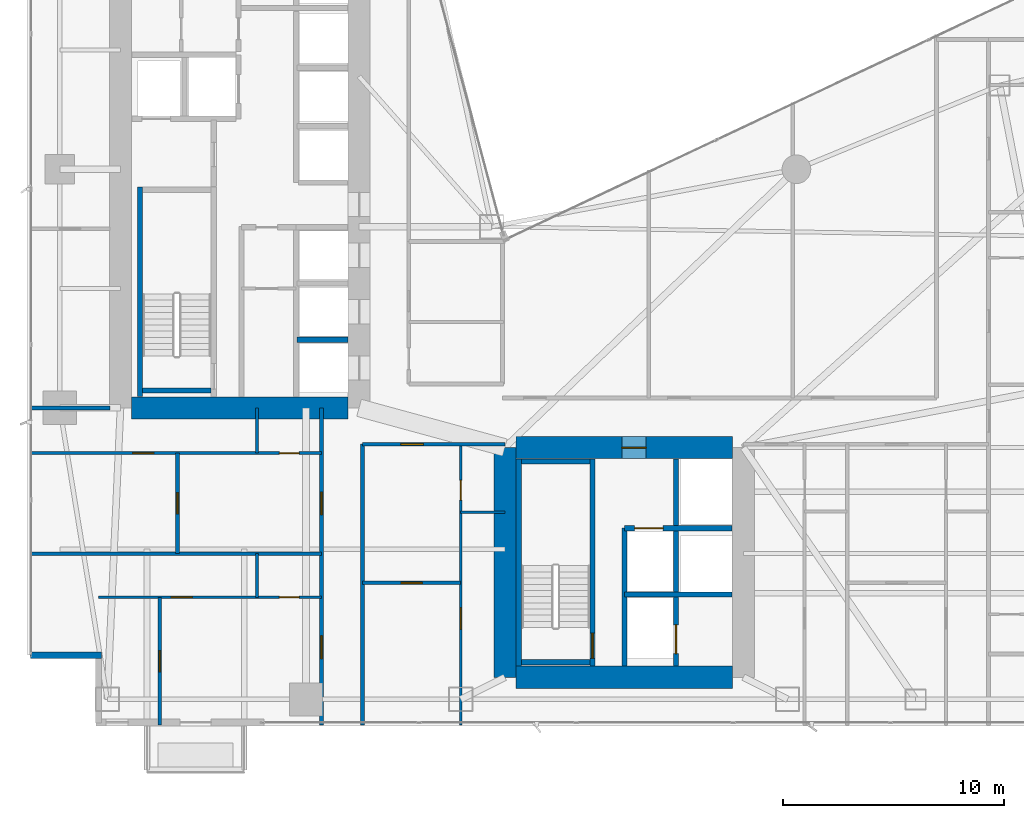
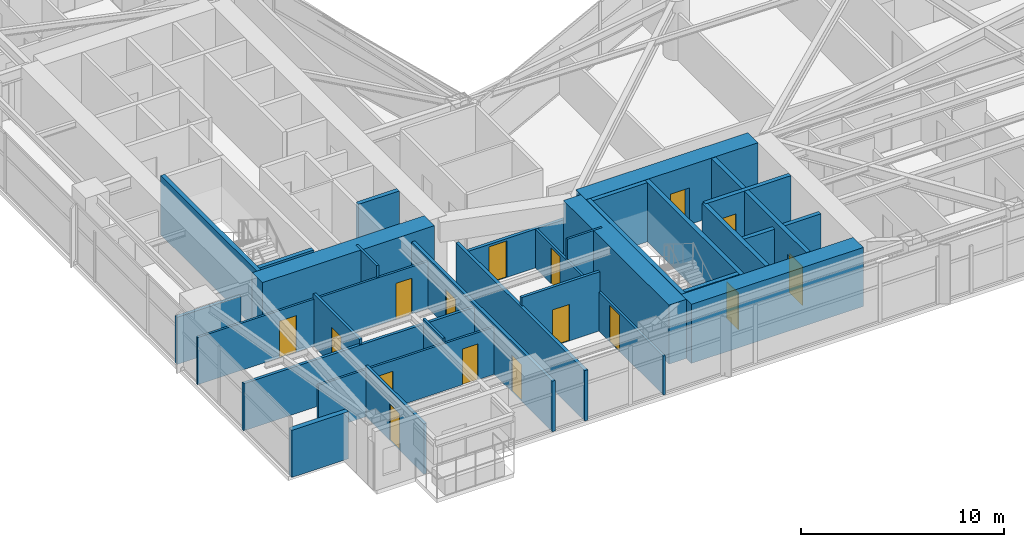
# One storey, part 22 of 30: 30 walls, 16 doors, 16 openings.
"""IFC4 building model written with IfcOpenShell, lengths in metres."""

import ifcopenshell
import ifcopenshell.guid

model = None  # the IFC model being written
_history = None  # IfcOwnerHistory: only IFC2X3 demands one
_inside = {}  # id of a spatial element -> (the spatial element, [elements in it])
_under = {}  # id of a project, library or spatial element -> (it, [spatial elements below it])
_declared = {}  # id of a project -> (the project, [libraries it declares])
_typed = {}  # id of a type object -> (the type object, [elements of that type])
_made_of = {}  # id of a material, layer set ... -> (it, [elements and type objects made of it])


def new_model(schema):
    """Start an empty IFC model of exactly this schema.

    Asked for "IFC4X3", IfcOpenShell would pick the latest addendum, in which some entities
    have other attributes; the version numbers below select the first issue.
    IFC2X3 requires an IfcOwnerHistory on every rooted entity: one is made here for all.
    """
    global model, _history
    if schema == "IFC4X3":
        model = ifcopenshell.file(schema_version=(4, 3, 0, 0))
    else:
        model = ifcopenshell.file(schema=schema)
    _inside.clear()
    _under.clear()
    _declared.clear()
    _typed.clear()
    _made_of.clear()
    _history = None
    if model.schema == "IFC2X3":
        org = make("IfcOrganization", Name="unknown")
        user = make(
            "IfcPersonAndOrganization",
            ThePerson=make("IfcPerson", FamilyName="unknown"),
            TheOrganization=org,
        )
        app = make(
            "IfcApplication",
            ApplicationDeveloper=org,
            Version="unknown",
            ApplicationFullName="unknown",
            ApplicationIdentifier="unknown",
        )
        _history = make(
            "IfcOwnerHistory",
            OwningUser=user,
            OwningApplication=app,
            ChangeAction="ADDED",
            CreationDate=0,
        )
    return model


def make(cls, **values):
    """One entity of the class cls with the attributes given. An attribute that is None is left unset."""
    return model.create_entity(
        cls, **{name: value for name, value in values.items() if value is not None}
    )


def rooted(cls, **values):
    """An entity with a GlobalId (a new one), such as an element, a storey or a relation."""
    return make(cls, GlobalId=ifcopenshell.guid.new(), OwnerHistory=_history, **values)


def si_unit(unit_type, name, prefix=None):
    """IfcSIUnit, for example si_unit("LENGTHUNIT", "METRE", prefix="MILLI")."""
    return make("IfcSIUnit", UnitType=unit_type, Prefix=prefix, Name=name)


def assignment(units):
    """IfcUnitAssignment: the units of a project."""
    return None if units is None else make("IfcUnitAssignment", Units=units)


def point(xyz):
    """IfcCartesianPoint."""
    return None if xyz is None else make("IfcCartesianPoint", Coordinates=xyz)


def direction(xyz):
    """IfcDirection."""
    return None if xyz is None else make("IfcDirection", DirectionRatios=xyz)


def frame(location, z_axis=None, x_axis=None):
    """IfcAxis2Placement3D, a coordinate frame: its origin and axes. An axis left out is left unset."""
    return make(
        "IfcAxis2Placement3D",
        Location=point(location),
        Axis=direction(z_axis),
        RefDirection=direction(x_axis),
    )


def frame_2d(location, x_axis=None):
    """IfcAxis2Placement2D, a coordinate frame in the plane: its origin and x axis."""
    return make(
        "IfcAxis2Placement2D", Location=point(location), RefDirection=direction(x_axis)
    )


def origin():
    """The frame at (0, 0, 0) with its axes left unset."""
    return frame((0.0, 0.0, 0.0))


def place(relative_to, where):
    """IfcLocalPlacement: puts the frame where relative to a parent placement (None: the world)."""
    return make(
        "IfcLocalPlacement", PlacementRelTo=relative_to, RelativePlacement=where
    )


def context(
    kind, dimensions, precision=None, world=None, true_north=None, identifier=None
):
    """IfcGeometricRepresentationContext, for example the 3D "Model" context."""
    return make(
        "IfcGeometricRepresentationContext",
        ContextIdentifier=identifier,
        ContextType=kind,
        CoordinateSpaceDimension=dimensions,
        Precision=precision,
        WorldCoordinateSystem=world,
        TrueNorth=true_north,
    )


def subcontext(parent, identifier, kind, view, scale=None):
    """IfcGeometricRepresentationSubContext, for example "Body" below "Model"."""
    return make(
        "IfcGeometricRepresentationSubContext",
        ContextIdentifier=identifier,
        ContextType=kind,
        ParentContext=parent,
        TargetScale=scale,
        TargetView=view,
    )


def project(units=None, contexts=None):
    """IfcProject with its units and contexts."""
    return rooted(
        "IfcProject",
        Name="project",
        RepresentationContexts=contexts,
        UnitsInContext=assignment(units),
    )


def spatial(cls, under=None, at=None, **own):
    """A site, building, storey or space (cls), placed at a placement, below another one or the project."""
    s = rooted(cls, ObjectPlacement=at, **own)
    if under is not None:
        _under.setdefault(under.id(), (under, []))[1].append(s)
    return s


def profile(cls, at=None, kind="AREA", **sizes):
    """A parametric profile (cls). Its sizes go by their IFC names, for example OverallWidth=200.0."""
    return make(cls, ProfileType=kind, Position=at, **sizes)


def rectangle(**sizes):
    """IfcRectangleProfileDef."""
    return profile("IfcRectangleProfileDef", **sizes)


def extrude(swept, where, along, depth):
    """IfcExtrudedAreaSolid: the profile swept, set in the frame where, extruded along a direction by depth."""
    return make(
        "IfcExtrudedAreaSolid",
        SweptArea=swept,
        Position=where,
        ExtrudedDirection=direction(along),
        Depth=depth,
    )


def shape(context_of_items, identifier, shape_type, items):
    """IfcShapeRepresentation: the items that make up one representation, for example the "Body"."""
    return make(
        "IfcShapeRepresentation",
        ContextOfItems=context_of_items,
        RepresentationIdentifier=identifier,
        RepresentationType=shape_type,
        Items=items,
    )


def material(Name=None, Category=None):
    """IfcMaterial."""
    return make("IfcMaterial", Name=Name, Category=Category)


def layer(
    of_material, thickness, ventilated=None, Name=None, Category=None, Priority=None
):
    """IfcMaterialLayer: one layer of a wall or slab, of a material (None: an air gap)."""
    return make(
        "IfcMaterialLayer",
        Material=of_material,
        LayerThickness=thickness,
        IsVentilated=ventilated,
        Name=Name,
        Category=Category,
        Priority=Priority,
    )


def layer_set(layers, Name=None):
    """IfcMaterialLayerSet."""
    return make("IfcMaterialLayerSet", MaterialLayers=layers, LayerSetName=Name)


def made_of(thing, what):
    """Note that an element or type object is made of a material, layer set ...; save() writes the relation."""
    if what is not None:
        _made_of.setdefault(what.id(), (what, []))[1].append(thing)
    return thing


def type_object(cls, material=None, **own):
    """A type object (cls), such as IfcWallType, which elements share."""
    return made_of(rooted(cls, **own), material)


def element(
    cls,
    number,
    at=None,
    inside=None,
    cuts=None,
    type_object=None,
    material=None,
    context=None,
    identifier="Body",
    shape_type=None,
    held_by="IfcProductDefinitionShape",
    body=None,
    shapes=None,
    **own,
):
    """One element of the class cls, such as IfcWall. Its Tag is "e" and its number.

    at: its placement. inside: the storey or other place that contains it. cuts: it is an
    opening in that element (IfcRelVoidsElement). A single representation is given by context,
    identifier, shape_type and body (its items); several are given by shapes. held_by: the class
    of the entity that holds the representations. save() writes the other relations.
    """
    e = rooted(cls, Tag="e%d" % number, ObjectPlacement=at, **own)
    if body is not None:
        shapes = [shape(context, identifier, shape_type, body)]
    if shapes is not None:
        e.Representation = make(held_by, Representations=shapes)
    if inside is not None:
        _inside.setdefault(inside.id(), (inside, []))[1].append(e)
    if cuts is not None:
        rooted(
            "IfcRelVoidsElement", RelatingBuildingElement=cuts, RelatedOpeningElement=e
        )
    if type_object is not None:
        _typed.setdefault(type_object.id(), (type_object, []))[1].append(e)
    return made_of(e, material)


def fill(opening, filler):
    """IfcRelFillsElement: the door or window that sits in an opening."""
    return rooted(
        "IfcRelFillsElement",
        RelatingOpeningElement=opening,
        RelatedBuildingElement=filler,
    )


def aggregate(whole, parts):
    """IfcRelAggregates: a whole, such as a stair, and the parts it consists of."""
    return rooted("IfcRelAggregates", RelatingObject=whole, RelatedObjects=parts)


def save(model, path):
    """Write the relations noted so far, then the file.

    IfcRelAggregates (storeys below a building ...), IfcRelContainedInSpatialStructure (elements
    in a storey), IfcRelDefinesByType, IfcRelAssociatesMaterial and IfcRelDeclares: one each for
    every whole, place, type object, material and project.
    """
    for whole, parts in _under.values():
        aggregate(whole, parts)
    for where, things in _inside.values():
        rooted(
            "IfcRelContainedInSpatialStructure",
            RelatedElements=things,
            RelatingStructure=where,
        )
    for kind, things in _typed.values():
        rooted("IfcRelDefinesByType", RelatedObjects=things, RelatingType=kind)
    for what, things in _made_of.values():
        rooted("IfcRelAssociatesMaterial", RelatedObjects=things, RelatingMaterial=what)
    for by, libraries in _declared.values():
        rooted("IfcRelDeclares", RelatingContext=by, RelatedDefinitions=libraries)
    model.write(path)


model = new_model("IFC4")

# Units and contexts
model_context = context("Model", 3, precision=1e-05, world=origin(), true_north=direction((0.0, 1.0)))
body_context = subcontext(model_context, "Body", "Model", "MODEL_VIEW")
ifc_project = project(units=[si_unit("LENGTHUNIT", "METRE"), si_unit("AREAUNIT", "SQUARE_METRE"), si_unit("VOLUMEUNIT", "CUBIC_METRE"), si_unit("PLANEANGLEUNIT", "RADIAN"), si_unit("MASSUNIT", "GRAM", prefix="KILO")], contexts=[model_context])

# Site, building, storey
site_placement = place(None, origin())
site = spatial("IfcSite", under=ifc_project, at=site_placement, CompositionType="ELEMENT")
building_placement = place(site_placement, origin())
building = spatial("IfcBuilding", under=site, at=building_placement, Name="Calvorn Quay Hotel", CompositionType="ELEMENT")
storey_placement = place(building_placement, frame((0.0, 0.0, 73.60009765625)))
storey = spatial("IfcBuildingStorey", under=building, at=storey_placement, Name="L17", CompositionType="ELEMENT", Elevation=73.60009765625)

# Walls
ifc_material_1 = material(Name="Concrete C60", Category="concrete")
ifc_layer_1 = layer(ifc_material_1, 1.0)
ifc_layer_set_1 = layer_set([ifc_layer_1], Name="WL-CORE-1000")
wall_type_1 = type_object("IfcWallType", Name="WL-CORE-1000", PredefinedType="SHEAR", material=ifc_layer_set_1)
wall_1_placement = place(storey_placement, frame((4.699951171875, 16.800048828125, 0.0), z_axis=(0.0, 0.0, 1.0), x_axis=(1.0, 0.0, 0.0)))
element("IfcWall", 1, at=wall_1_placement, inside=storey, type_object=wall_type_1, Name="West Core Shear Wall S (L17)", PredefinedType="SHEAR", context=body_context, shape_type="SweptSolid", body=[
    extrude(rectangle(XDim=9.800048828125, YDim=1.0, at=frame_2d((4.89990234375, 0.0))), origin(), (0.0, 0.0, 1.0), 3.559814453125),
])
wall_2_placement = place(storey_placement, frame((21.60009765625, 4.60009765625, 0.0), z_axis=(0.0, 0.0, 1.0), x_axis=(0.0, 1.0, 0.0)))
element("IfcWall", 2, at=wall_2_placement, inside=storey, type_object=wall_type_1, Name="East Core Shear Wall W (L17)", PredefinedType="SHEAR", context=body_context, shape_type="SweptSolid", body=[
    extrude(rectangle(XDim=10.39990234375, YDim=1.0, at=frame_2d((5.199951171875, 0.0))), origin(), (0.0, 0.0, 1.0), 3.559814453125),
])

# Wall, opening, door
wall_3_placement = place(storey_placement, frame((22.10009765625, 15.0, 0.0), z_axis=(0.0, 0.0, 1.0), x_axis=(1.0, 0.0, 0.0)))
wall_3 = element("IfcWall", 3, at=wall_3_placement, inside=storey, type_object=wall_type_1, Name="East Core Shear Wall N (L17)", PredefinedType="SHEAR", context=body_context, shape_type="SweptSolid", body=[
    extrude(rectangle(XDim=9.7998046875, YDim=1.0, at=frame_2d((4.89990234375, 0.0))), origin(), (0.0, 0.0, 1.0), 3.559814453125),
])
opening_1_placement = place(wall_3_placement, frame((4.800048828125, 0.0, 0.0)))
opening_1 = element("IfcOpeningElement", 4, at=opening_1_placement, cuts=wall_3, Name="Opening D-L17-FLE", PredefinedType="OPENING", context=body_context, shape_type="SweptSolid", body=[
    extrude(rectangle(XDim=1.10009765625, YDim=2.199951171875, at=frame_2d((0.550048828125, 1.10009765625))), frame((0.0, 0.510009765625, 0.0), z_axis=(0.0, -1.0, 0.0), x_axis=(1.0, 0.0, 0.0)), (0.0, 0.0, 1.0), 1.02001953125),
])
ifc_material_2 = material(Name="Smoke-Sealed Steel Class A Fire Door", Category="steel")
door_type_1 = type_object("IfcDoorType", Name="DR-FFLOBBY-1100", OperationType="NOTDEFINED", PredefinedType="DOOR", material=ifc_material_2)
door_1_placement = place(opening_1_placement, origin())
door_1 = element("IfcDoor", 5, at=door_1_placement, inside=storey, type_object=door_type_1, Name="East Firefighting Lobby Fire Door (L17)", OperationType="SINGLE_SWING_LEFT", OverallHeight=2.199951171875, OverallWidth=1.10009765625, PredefinedType="DOOR", context=body_context, shape_type="SweptSolid", body=[
    extrude(rectangle(XDim=1.10009765625, YDim=2.199951171875, at=frame_2d((0.550048828125, 1.10009765625))), frame((0.0, 0.02490234375, 0.0), z_axis=(0.0, -1.0, 0.0), x_axis=(1.0, 0.0, 0.0)), (0.0, 0.0, 1.0), 0.050048828125),
])
fill(opening_1, door_1)

# Walls
wall_4_placement = place(storey_placement, frame((22.10009765625, 4.60009765625, 0.0), z_axis=(0.0, 0.0, 1.0), x_axis=(1.0, 0.0, 0.0)))
element("IfcWall", 6, at=wall_4_placement, inside=storey, type_object=wall_type_1, Name="East Core Shear Wall S (L17)", PredefinedType="SHEAR", context=body_context, shape_type="SweptSolid", body=[
    extrude(rectangle(XDim=9.7998046875, YDim=1.0, at=frame_2d((4.89990234375, 0.0))), origin(), (0.0, 0.0, 1.0), 3.559814453125),
])
ifc_material_3 = material(Name="Acoustic Fireboard Steel-Stud Partition", Category="steel")
ifc_layer_2 = layer(ifc_material_3, 0.179931640625)
ifc_layer_set_2 = layer_set([ifc_layer_2], Name="WL-CORR-FIRE-180")
wall_type_2 = type_object("IfcWallType", Name="WL-CORR-FIRE-180", PredefinedType="PARTITIONING", material=ifc_layer_set_2)
wall_5_placement = place(storey_placement, frame((0.080078125, 16.800048828125, 0.0), z_axis=(0.0, 0.0, 1.0), x_axis=(1.0, 0.0, 0.0)))
element("IfcWall", 7, at=wall_5_placement, inside=storey, type_object=wall_type_2, Name="Partition Wall L17-WL-WBAY-S-WALL", PredefinedType="PARTITIONING", context=body_context, shape_type="SweptSolid", body=[
    extrude(rectangle(XDim=3.64990234375, YDim=0.179931640625, at=frame_2d((1.824951171875, 0.0))), origin(), (0.0, 0.0, 1.0), 2.83984375),
])

# Wall, openings, doors
wall_6_placement = place(storey_placement, frame((13.300048828125, 2.43994140625, 0.0), z_axis=(0.0, 0.0, 1.0), x_axis=(0.0, 1.0, 0.0)))
wall_6 = element("IfcWall", 8, at=wall_6_placement, inside=storey, type_object=wall_type_2, Name="Partition Wall L17-WL-CORR-SW-LEG-W", PredefinedType="PARTITIONING", context=body_context, shape_type="SweptSolid", body=[
    extrude(rectangle(XDim=14.360107421875, YDim=0.179931640625, at=frame_2d((7.18017578125, 0.0))), origin(), (0.0, 0.0, 1.0), 3.039794921875),
])
opening_2_placement = place(wall_6_placement, frame((3.010009765625, 0.0, 0.0)))
opening_2 = element("IfcOpeningElement", 9, at=opening_2_placement, cuts=wall_6, Name="Opening D-L17-U01", PredefinedType="OPENING", context=body_context, shape_type="SweptSolid", body=[
    extrude(rectangle(XDim=1.02001953125, YDim=2.199951171875, at=frame_2d((0.510009765625, 1.10009765625))), frame((0.0, 0.099853515625, 0.0), z_axis=(0.0, -1.0, 0.0), x_axis=(1.0, 0.0, 0.0)), (0.0, 0.0, 1.0), 0.199951171875),
])
opening_3_placement = place(wall_6_placement, frame((9.52001953125, 0.0, 0.0)))
opening_3 = element("IfcOpeningElement", 10, at=opening_3_placement, cuts=wall_6, Name="Opening D-L17-U02", PredefinedType="OPENING", context=body_context, shape_type="SweptSolid", body=[
    extrude(rectangle(XDim=1.02001953125, YDim=2.199951171875, at=frame_2d((0.510009765625, 1.10009765625))), frame((0.0, 0.099853515625, 0.0), z_axis=(0.0, -1.0, 0.0), x_axis=(1.0, 0.0, 0.0)), (0.0, 0.0, 1.0), 0.199951171875),
])
ifc_material_4 = material(Name="Solid-Core Walnut Veneer Hotel Fire Door")
door_type_2 = type_object("IfcDoorType", Name="DR-GUEST-ENTRY-1020", OperationType="NOTDEFINED", PredefinedType="DOOR", material=ifc_material_4)
door_2_placement = place(opening_2_placement, origin())
door_2 = element("IfcDoor", 11, at=door_2_placement, inside=storey, type_object=door_type_2, Name="South-West Unit Door U01 (L17)", OperationType="SINGLE_SWING_LEFT", OverallHeight=2.199951171875, OverallWidth=1.02001953125, PredefinedType="DOOR", context=body_context, shape_type="SweptSolid", body=[
    extrude(rectangle(XDim=1.02001953125, YDim=2.199951171875, at=frame_2d((0.510009765625, 1.10009765625))), frame((0.0, 0.02490234375, 0.0), z_axis=(0.0, -1.0, 0.0), x_axis=(1.0, 0.0, 0.0)), (0.0, 0.0, 1.0), 0.050048828125),
])
fill(opening_2, door_2)
door_3_placement = place(opening_3_placement, origin())
door_3 = element("IfcDoor", 12, at=door_3_placement, inside=storey, type_object=door_type_2, Name="South-West Unit Door U02 (L17)", OperationType="SINGLE_SWING_RIGHT", OverallHeight=2.199951171875, OverallWidth=1.02001953125, PredefinedType="DOOR", context=body_context, shape_type="SweptSolid", body=[
    extrude(rectangle(XDim=1.02001953125, YDim=2.199951171875, at=frame_2d((0.510009765625, 1.10009765625))), frame((0.0, 0.02490234375, 0.0), z_axis=(0.0, -1.0, 0.0), x_axis=(1.0, 0.0, 0.0)), (0.0, 0.0, 1.0), 0.050048828125),
])
fill(opening_3, door_3)

# Wall
wall_7_placement = place(storey_placement, frame((15.14990234375, 2.43994140625, 0.0), z_axis=(0.0, 0.0, 1.0), x_axis=(0.0, 1.0, 0.0)))
element("IfcWall", 13, at=wall_7_placement, inside=storey, type_object=wall_type_2, Name="Partition Wall L17-WL-CORR-SW-W", PredefinedType="PARTITIONING", context=body_context, shape_type="SweptSolid", body=[
    extrude(rectangle(XDim=12.7099609375, YDim=0.179931640625, at=frame_2d((6.35498046875, 0.0))), origin(), (0.0, 0.0, 1.0), 3.039794921875),
])

# Wall, opening, door
wall_8_placement = place(storey_placement, frame((15.14990234375, 15.14990234375, 0.0), z_axis=(0.0, 0.0, 1.0), x_axis=(1.0, 0.0, 0.0)))
wall_8 = element("IfcWall", 14, at=wall_8_placement, inside=storey, type_object=wall_type_2, Name="Partition Wall L17-WL-SC-CORR-S", PredefinedType="PARTITIONING", context=body_context, shape_type="SweptSolid", body=[
    extrude(rectangle(XDim=6.4501953125, YDim=0.179931640625, at=frame_2d((3.22509765625, 0.0))), origin(), (0.0, 0.0, 1.0), 2.33984375),
])
opening_4_placement = place(wall_8_placement, frame((1.739990234375, 0.0, 0.0)))
opening_4 = element("IfcOpeningElement", 15, at=opening_4_placement, cuts=wall_8, Name="Opening D-L17-U03", PredefinedType="OPENING", context=body_context, shape_type="SweptSolid", body=[
    extrude(rectangle(XDim=1.02001953125, YDim=2.199951171875, at=frame_2d((0.510009765625, 1.10009765625))), frame((0.0, 0.099853515625, 0.0), z_axis=(0.0, -1.0, 0.0), x_axis=(1.0, 0.0, 0.0)), (0.0, 0.0, 1.0), 0.199951171875),
])
door_4_placement = place(opening_4_placement, origin())
door_4 = element("IfcDoor", 16, at=door_4_placement, inside=storey, type_object=door_type_2, Name="Harbour Central Unit Door (L17)", OperationType="SINGLE_SWING_LEFT", OverallHeight=2.199951171875, OverallWidth=1.02001953125, PredefinedType="DOOR", context=body_context, shape_type="SweptSolid", body=[
    extrude(rectangle(XDim=1.02001953125, YDim=2.199951171875, at=frame_2d((0.510009765625, 1.10009765625))), frame((0.0, 0.02490234375, 0.0), z_axis=(0.0, -1.0, 0.0), x_axis=(1.0, 0.0, 0.0)), (0.0, 0.0, 1.0), 0.050048828125),
])
fill(opening_4, door_4)

# Wall
ifc_material_5 = material(Name="Moisture-Resistant Tile-Backed Partition")
ifc_layer_3 = layer(ifc_material_5, 0.125)
ifc_layer_set_3 = layer_set([ifc_layer_3], Name="WL-ENSUITE-125")
wall_type_3 = type_object("IfcWallType", Name="WL-ENSUITE-125", PredefinedType="PARTITIONING", material=ifc_layer_set_3)
wall_9_placement = place(storey_placement, frame((10.3798828125, 8.219970703125, 0.0), z_axis=(0.0, 0.0, 1.0), x_axis=(0.0, 1.0, 0.0)))
element("IfcWall", 17, at=wall_9_placement, inside=storey, type_object=wall_type_3, Name="Partition Wall L17-WL-U01-BDV", PredefinedType="PARTITIONING", context=body_context, shape_type="SweptSolid", body=[
    extrude(rectangle(XDim=1.97998046875, YDim=0.125, at=frame_2d((0.989990234375, 0.0))), origin(), (0.0, 0.0, 1.0), 3.139892578125),
])

# Wall, openings, doors
wall_10_placement = place(storey_placement, frame((3.199951171875, 8.219970703125, 0.0), z_axis=(0.0, 0.0, 1.0), x_axis=(1.0, 0.0, 0.0)))
wall_10 = element("IfcWall", 18, at=wall_10_placement, inside=storey, type_object=wall_type_3, Name="Partition Wall L17-WL-U01-BH", PredefinedType="PARTITIONING", context=body_context, shape_type="SweptSolid", body=[
    extrude(rectangle(XDim=10.10009765625, YDim=0.125, at=frame_2d((5.050048828125, 0.0))), origin(), (0.0, 0.0, 1.0), 2.83984375),
])
opening_5_placement = place(wall_10_placement, frame((3.2900390625, 0.0, 0.0)))
opening_5 = element("IfcOpeningElement", 19, at=opening_5_placement, cuts=wall_10, Name="Opening D-L17-S01", PredefinedType="OPENING", context=body_context, shape_type="SweptSolid", body=[
    extrude(rectangle(XDim=0.9599609375, YDim=2.199951171875, at=frame_2d((0.47998046875, 1.10009765625))), frame((0.0, 0.072509765625, 0.0), z_axis=(0.0, -1.0, 0.0), x_axis=(1.0, 0.0, 0.0)), (0.0, 0.0, 1.0), 0.14501953125),
])
opening_6_placement = place(wall_10_placement, frame((8.18994140625, 0.0, 0.0)))
opening_6 = element("IfcOpeningElement", 20, at=opening_6_placement, cuts=wall_10, Name="Opening D-L17-E01", PredefinedType="OPENING", context=body_context, shape_type="SweptSolid", body=[
    extrude(rectangle(XDim=0.89990234375, YDim=2.14990234375, at=frame_2d((0.449951171875, 1.074951171875))), frame((0.0, 0.072509765625, 0.0), z_axis=(0.0, -1.0, 0.0), x_axis=(1.0, 0.0, 0.0)), (0.0, 0.0, 1.0), 0.14501953125),
])
ifc_material_6 = material(Name="Moisture-Sealed Timber En-Suite Door", Category="wood")
door_type_3 = type_object("IfcDoorType", Name="DR-ENSUITE-900", OperationType="NOTDEFINED", PredefinedType="DOOR", material=ifc_material_6)
door_5_placement = place(opening_6_placement, origin())
door_5 = element("IfcDoor", 21, at=door_5_placement, inside=storey, type_object=door_type_3, Name="En-Suite Door 01", OperationType="SINGLE_SWING_RIGHT", OverallHeight=2.14990234375, OverallWidth=0.89990234375, PredefinedType="DOOR", context=body_context, shape_type="SweptSolid", body=[
    extrude(rectangle(XDim=0.89990234375, YDim=2.14990234375, at=frame_2d((0.449951171875, 1.074951171875))), frame((0.0, 0.02490234375, 0.0), z_axis=(0.0, -1.0, 0.0), x_axis=(1.0, 0.0, 0.0)), (0.0, 0.0, 1.0), 0.050048828125),
])
fill(opening_6, door_5)
ifc_material_7 = material(Name="Solid Timber Internal Suite Door", Category="wood")
door_type_4 = type_object("IfcDoorType", Name="DR-SUITE-INT-960", OperationType="NOTDEFINED", PredefinedType="DOOR", material=ifc_material_7)
door_6_placement = place(opening_5_placement, origin())
door_6 = element("IfcDoor", 22, at=door_6_placement, inside=storey, type_object=door_type_4, Name="Botanical Winter Garden Door 01", OperationType="SINGLE_SWING_LEFT", OverallHeight=2.199951171875, OverallWidth=0.9599609375, PredefinedType="DOOR", context=body_context, shape_type="SweptSolid", body=[
    extrude(rectangle(XDim=0.9599609375, YDim=2.199951171875, at=frame_2d((0.47998046875, 1.10009765625))), frame((0.0, 0.02490234375, 0.0), z_axis=(0.0, -1.0, 0.0), x_axis=(1.0, 0.0, 0.0)), (0.0, 0.0, 1.0), 0.050048828125),
])
fill(opening_5, door_6)

# Wall
wall_11_placement = place(storey_placement, frame((10.3798828125, 14.75, 0.0), z_axis=(0.0, 0.0, 1.0), x_axis=(0.0, 1.0, 0.0)))
element("IfcWall", 23, at=wall_11_placement, inside=storey, type_object=wall_type_3, Name="Partition Wall L17-WL-U02-BDV", PredefinedType="PARTITIONING", context=body_context, shape_type="SweptSolid", body=[
    extrude(rectangle(XDim=2.050048828125, YDim=0.125, at=frame_2d((1.02490234375, 0.0))), origin(), (0.0, 0.0, 1.0), 3.559814453125),
])

# Wall, openings, doors
wall_12_placement = place(storey_placement, frame((0.080078125, 14.75, 0.0), z_axis=(0.0, 0.0, 1.0), x_axis=(1.0, 0.0, 0.0)))
wall_12 = element("IfcWall", 24, at=wall_12_placement, inside=storey, type_object=wall_type_3, Name="Partition Wall L17-WL-U02-BH", PredefinedType="PARTITIONING", context=body_context, shape_type="SweptSolid", body=[
    extrude(rectangle(XDim=13.219970703125, YDim=0.125, at=frame_2d((6.60986328125, 0.0))), origin(), (0.0, 0.0, 1.0), 2.83984375),
])
opening_7_placement = place(wall_12_placement, frame((4.669921875, 0.0, 0.0)))
opening_7 = element("IfcOpeningElement", 25, at=opening_7_placement, cuts=wall_12, Name="Opening D-L17-S02", PredefinedType="OPENING", context=body_context, shape_type="SweptSolid", body=[
    extrude(rectangle(XDim=0.9599609375, YDim=2.199951171875, at=frame_2d((0.47998046875, 1.10009765625))), frame((0.0, 0.072509765625, 0.0), z_axis=(0.0, -1.0, 0.0), x_axis=(1.0, 0.0, 0.0)), (0.0, 0.0, 1.0), 0.14501953125),
])
opening_8_placement = place(wall_12_placement, frame((11.31005859375, 0.0, 0.0)))
opening_8 = element("IfcOpeningElement", 26, at=opening_8_placement, cuts=wall_12, Name="Opening D-L17-E02", PredefinedType="OPENING", context=body_context, shape_type="SweptSolid", body=[
    extrude(rectangle(XDim=0.89990234375, YDim=2.14990234375, at=frame_2d((0.449951171875, 1.074951171875))), frame((0.0, 0.072509765625, 0.0), z_axis=(0.0, -1.0, 0.0), x_axis=(1.0, 0.0, 0.0)), (0.0, 0.0, 1.0), 0.14501953125),
])
door_7_placement = place(opening_8_placement, origin())
door_7 = element("IfcDoor", 27, at=door_7_placement, inside=storey, type_object=door_type_3, Name="En-Suite Door 02", OperationType="SINGLE_SWING_RIGHT", OverallHeight=2.14990234375, OverallWidth=0.89990234375, PredefinedType="DOOR", context=body_context, shape_type="SweptSolid", body=[
    extrude(rectangle(XDim=0.89990234375, YDim=2.14990234375, at=frame_2d((0.449951171875, 1.074951171875))), frame((0.0, 0.02490234375, 0.0), z_axis=(0.0, -1.0, 0.0), x_axis=(1.0, 0.0, 0.0)), (0.0, 0.0, 1.0), 0.050048828125),
])
fill(opening_8, door_7)
door_8_placement = place(opening_7_placement, origin())
door_8 = element("IfcDoor", 28, at=door_8_placement, inside=storey, type_object=door_type_4, Name="Botanical Winter Garden Door 02", OperationType="SINGLE_SWING_LEFT", OverallHeight=2.199951171875, OverallWidth=0.9599609375, PredefinedType="DOOR", context=body_context, shape_type="SweptSolid", body=[
    extrude(rectangle(XDim=0.9599609375, YDim=2.199951171875, at=frame_2d((0.47998046875, 1.10009765625))), frame((0.0, 0.02490234375, 0.0), z_axis=(0.0, -1.0, 0.0), x_axis=(1.0, 0.0, 0.0)), (0.0, 0.0, 1.0), 0.050048828125),
])
fill(opening_7, door_8)

# Wall
wall_13_placement = place(storey_placement, frame((19.60009765625, 12.070068359375, 0.0), z_axis=(0.0, 0.0, 1.0), x_axis=(1.0, 0.0, 0.0)))
element("IfcWall", 29, at=wall_13_placement, inside=storey, type_object=wall_type_3, Name="Partition Wall L17-WL-U03-BDV", PredefinedType="PARTITIONING", context=body_context, shape_type="SweptSolid", body=[
    extrude(rectangle(XDim=2.0, YDim=0.125, at=frame_2d((1.0, 0.0))), origin(), (0.0, 0.0, 1.0), 3.559814453125),
])

# Wall, openings, doors
wall_14_placement = place(storey_placement, frame((19.60009765625, 2.43994140625, 0.0), z_axis=(0.0, 0.0, 1.0), x_axis=(0.0, 1.0, 0.0)))
wall_14 = element("IfcWall", 30, at=wall_14_placement, inside=storey, type_object=wall_type_3, Name="Partition Wall L17-WL-U03-BV", PredefinedType="PARTITIONING", context=body_context, shape_type="SweptSolid", body=[
    extrude(rectangle(XDim=12.7099609375, YDim=0.125, at=frame_2d((6.35498046875, 0.0))), origin(), (0.0, 0.0, 1.0), 2.33984375),
])
opening_9_placement = place(wall_14_placement, frame((4.340087890625, 0.0, 0.0)))
opening_9 = element("IfcOpeningElement", 31, at=opening_9_placement, cuts=wall_14, Name="Opening D-L17-S03", PredefinedType="OPENING", context=body_context, shape_type="SweptSolid", body=[
    extrude(rectangle(XDim=0.9599609375, YDim=2.199951171875, at=frame_2d((0.47998046875, 1.10009765625))), frame((0.0, 0.072509765625, 0.0), z_axis=(0.0, -1.0, 0.0), x_axis=(1.0, 0.0, 0.0)), (0.0, 0.0, 1.0), 0.14501953125),
])
opening_10_placement = place(wall_14_placement, frame((10.179931640625, 0.0, 0.0)))
opening_10 = element("IfcOpeningElement", 32, at=opening_10_placement, cuts=wall_14, Name="Opening D-L17-E03", PredefinedType="OPENING", context=body_context, shape_type="SweptSolid", body=[
    extrude(rectangle(XDim=0.89990234375, YDim=2.14990234375, at=frame_2d((0.449951171875, 1.074951171875))), frame((0.0, 0.072509765625, 0.0), z_axis=(0.0, -1.0, 0.0), x_axis=(1.0, 0.0, 0.0)), (0.0, 0.0, 1.0), 0.14501953125),
])
door_9_placement = place(opening_10_placement, origin())
door_9 = element("IfcDoor", 33, at=door_9_placement, inside=storey, type_object=door_type_3, Name="En-Suite Door 03", OperationType="SINGLE_SWING_RIGHT", OverallHeight=2.14990234375, OverallWidth=0.89990234375, PredefinedType="DOOR", context=body_context, shape_type="SweptSolid", body=[
    extrude(rectangle(XDim=0.89990234375, YDim=2.14990234375, at=frame_2d((0.449951171875, 1.074951171875))), frame((0.0, 0.02490234375, 0.0), z_axis=(0.0, -1.0, 0.0), x_axis=(1.0, 0.0, 0.0)), (0.0, 0.0, 1.0), 0.050048828125),
])
fill(opening_10, door_9)
door_10_placement = place(opening_9_placement, origin())
door_10 = element("IfcDoor", 34, at=door_10_placement, inside=storey, type_object=door_type_4, Name="Botanical Winter Garden Door 03", OperationType="SINGLE_SWING_LEFT", OverallHeight=2.199951171875, OverallWidth=0.9599609375, PredefinedType="DOOR", context=body_context, shape_type="SweptSolid", body=[
    extrude(rectangle(XDim=0.9599609375, YDim=2.199951171875, at=frame_2d((0.47998046875, 1.10009765625))), frame((0.0, 0.02490234375, 0.0), z_axis=(0.0, -1.0, 0.0), x_axis=(1.0, 0.0, 0.0)), (0.0, 0.0, 1.0), 0.050048828125),
])
fill(opening_9, door_10)

# Wall
ifc_material_8 = material(Name="Concrete C40", Category="concrete")
ifc_layer_4 = layer(ifc_material_8, 0.320068359375)
ifc_layer_set_4 = layer_set([ifc_layer_4], Name="WL-EXT-SPANDREL-320")
wall_type_4 = type_object("IfcWallType", Name="WL-EXT-SPANDREL-320", PredefinedType="SOLIDWALL", material=ifc_layer_set_4)
wall_15_placement = place(storey_placement, frame((0.1201171875, 5.60009765625, 0.0), z_axis=(0.0, 0.0, 1.0), x_axis=(1.0, 0.0, 0.0)))
element("IfcWall", 35, at=wall_15_placement, inside=storey, type_object=wall_type_4, Name="Notched Corner Spandrel L17-SW1", PredefinedType="SOLIDWALL", context=body_context, shape_type="SweptSolid", body=[
    extrude(rectangle(XDim=3.219970703125, YDim=0.280029296875, at=frame_2d((1.60986328125, 0.0))), origin(), (0.0, 0.0, 1.0), 2.83984375),
])

# Wall, opening, door
ifc_material_9 = material(Name="Double-Stud Acoustic Gypsum Partition")
ifc_layer_5 = layer(ifc_material_9, 0.159912109375)
ifc_layer_set_5 = layer_set([ifc_layer_5], Name="WL-INTERSUITE-160")
wall_type_5 = type_object("IfcWallType", Name="WL-INTERSUITE-160", PredefinedType="PARTITIONING", material=ifc_layer_set_5)
wall_16_placement = place(storey_placement, frame((5.97998046875, 2.43994140625, 0.0), z_axis=(0.0, 0.0, 1.0), x_axis=(0.0, 1.0, 0.0)))
wall_16 = element("IfcWall", 36, at=wall_16_placement, inside=storey, type_object=wall_type_5, Name="Partition Wall L17-WL-U01-MSP", PredefinedType="PARTITIONING", context=body_context, shape_type="SweptSolid", body=[
    extrude(rectangle(XDim=5.780029296875, YDim=0.159912109375, at=frame_2d((2.89013671875, 0.0))), origin(), (0.0, 0.0, 1.0), 3.039794921875),
])
opening_11_placement = place(wall_16_placement, frame((2.409912109375, 0.0, 0.0)))
opening_11 = element("IfcOpeningElement", 37, at=opening_11_placement, cuts=wall_16, Name="Opening D-L17-M01", PredefinedType="OPENING", context=body_context, shape_type="SweptSolid", body=[
    extrude(rectangle(XDim=0.9599609375, YDim=2.199951171875, at=frame_2d((0.47998046875, 1.10009765625))), frame((0.0, 0.08984375, 0.0), z_axis=(0.0, -1.0, 0.0), x_axis=(1.0, 0.0, 0.0)), (0.0, 0.0, 1.0), 0.179931640625),
])
door_11_placement = place(opening_11_placement, origin())
door_11 = element("IfcDoor", 38, at=door_11_placement, inside=storey, type_object=door_type_4, Name="Suite Bedroom Door 01", OperationType="SINGLE_SWING_LEFT", OverallHeight=2.199951171875, OverallWidth=0.9599609375, PredefinedType="DOOR", context=body_context, shape_type="SweptSolid", body=[
    extrude(rectangle(XDim=0.9599609375, YDim=2.199951171875, at=frame_2d((0.47998046875, 1.10009765625))), frame((0.0, 0.02490234375, 0.0), z_axis=(0.0, -1.0, 0.0), x_axis=(1.0, 0.0, 0.0)), (0.0, 0.0, 1.0), 0.050048828125),
])
fill(opening_11, door_11)

wall_17_placement = place(storey_placement, frame((6.780029296875, 10.199951171875, 0.0), z_axis=(0.0, 0.0, 1.0), x_axis=(0.0, 1.0, 0.0)))
wall_17 = element("IfcWall", 39, at=wall_17_placement, inside=storey, type_object=wall_type_5, Name="Partition Wall L17-WL-U02-MSP", PredefinedType="PARTITIONING", context=body_context, shape_type="SweptSolid", body=[
    extrude(rectangle(XDim=4.550048828125, YDim=0.159912109375, at=frame_2d((2.27490234375, 0.0))), origin(), (0.0, 0.0, 1.0), 3.139892578125),
])
opening_12_placement = place(wall_17_placement, frame((1.800048828125, 0.0, 0.0)))
opening_12 = element("IfcOpeningElement", 40, at=opening_12_placement, cuts=wall_17, Name="Opening D-L17-M02", PredefinedType="OPENING", context=body_context, shape_type="SweptSolid", body=[
    extrude(rectangle(XDim=0.9599609375, YDim=2.199951171875, at=frame_2d((0.47998046875, 1.10009765625))), frame((0.0, 0.08984375, 0.0), z_axis=(0.0, -1.0, 0.0), x_axis=(1.0, 0.0, 0.0)), (0.0, 0.0, 1.0), 0.179931640625),
])
door_12_placement = place(opening_12_placement, origin())
door_12 = element("IfcDoor", 41, at=door_12_placement, inside=storey, type_object=door_type_4, Name="Suite Bedroom Door 02", OperationType="SINGLE_SWING_LEFT", OverallHeight=2.199951171875, OverallWidth=0.9599609375, PredefinedType="DOOR", context=body_context, shape_type="SweptSolid", body=[
    extrude(rectangle(XDim=0.9599609375, YDim=2.199951171875, at=frame_2d((0.47998046875, 1.10009765625))), frame((0.0, 0.02490234375, 0.0), z_axis=(0.0, -1.0, 0.0), x_axis=(1.0, 0.0, 0.0)), (0.0, 0.0, 1.0), 0.050048828125),
])
fill(opening_12, door_12)

# Wall
wall_18_placement = place(storey_placement, frame((0.080078125, 10.199951171875, 0.0), z_axis=(0.0, 0.0, 1.0), x_axis=(1.0, 0.0, 0.0)))
element("IfcWall", 42, at=wall_18_placement, inside=storey, type_object=wall_type_5, Name="Partition Wall L17-WL-SW-DIV-1", PredefinedType="PARTITIONING", context=body_context, shape_type="SweptSolid", body=[
    extrude(rectangle(XDim=13.219970703125, YDim=0.159912109375, at=frame_2d((6.60986328125, 0.0))), origin(), (0.0, 0.0, 1.0), 2.83984375),
])

# Wall, opening, door
wall_19_placement = place(storey_placement, frame((15.14990234375, 8.8701171875, 0.0), z_axis=(0.0, 0.0, 1.0), x_axis=(1.0, 0.0, 0.0)))
wall_19 = element("IfcWall", 43, at=wall_19_placement, inside=storey, type_object=wall_type_5, Name="Partition Wall L17-WL-U03-MSP", PredefinedType="PARTITIONING", context=body_context, shape_type="SweptSolid", body=[
    extrude(rectangle(XDim=4.4501953125, YDim=0.159912109375, at=frame_2d((2.22509765625, 0.0))), origin(), (0.0, 0.0, 1.0), 3.559814453125),
])
opening_13_placement = place(wall_19_placement, frame((1.75, 0.0, 0.0)))
opening_13 = element("IfcOpeningElement", 44, at=opening_13_placement, cuts=wall_19, Name="Opening D-L17-M03", PredefinedType="OPENING", context=body_context, shape_type="SweptSolid", body=[
    extrude(rectangle(XDim=0.9599609375, YDim=2.199951171875, at=frame_2d((0.47998046875, 1.10009765625))), frame((0.0, 0.08984375, 0.0), z_axis=(0.0, -1.0, 0.0), x_axis=(1.0, 0.0, 0.0)), (0.0, 0.0, 1.0), 0.179931640625),
])
door_13_placement = place(opening_13_placement, origin())
door_13 = element("IfcDoor", 45, at=door_13_placement, inside=storey, type_object=door_type_4, Name="Suite Bedroom Door 03", OperationType="SINGLE_SWING_LEFT", OverallHeight=2.199951171875, OverallWidth=0.9599609375, PredefinedType="DOOR", context=body_context, shape_type="SweptSolid", body=[
    extrude(rectangle(XDim=0.9599609375, YDim=2.199951171875, at=frame_2d((0.47998046875, 1.10009765625))), frame((0.0, 0.02490234375, 0.0), z_axis=(0.0, -1.0, 0.0), x_axis=(1.0, 0.0, 0.0)), (0.0, 0.0, 1.0), 0.050048828125),
])
fill(opening_13, door_13)

# Walls
ifc_material_10 = material(Name="Concrete C40", Category="concrete")
ifc_layer_6 = layer(ifc_material_10, 0.239990234375)
ifc_layer_set_6 = layer_set([ifc_layer_6], Name="WL-SHAFT-240")
wall_type_6 = type_object("IfcWallType", Name="WL-SHAFT-240", PredefinedType="SOLIDWALL", material=ifc_layer_set_6)
wall_20_placement = place(storey_placement, frame((5.080078125, 17.300048828125, 0.0), z_axis=(0.0, 0.0, 1.0), x_axis=(0.0, 1.0, 0.0)))
element("IfcWall", 46, at=wall_20_placement, inside=storey, type_object=wall_type_6, Name="Stair STW Shaft Wall W (L17)", PredefinedType="SOLIDWALL", context=body_context, shape_type="SweptSolid", body=[
    extrude(rectangle(XDim=9.489990234375, YDim=0.239990234375, at=frame_2d((4.7451171875, 0.0))), origin(), (0.0, 0.0, 1.0), 3.559814453125),
])
wall_21_placement = place(storey_placement, frame((5.199951171875, 17.580078125, 0.0), z_axis=(0.0, 0.0, 1.0), x_axis=(1.0, 0.0, 0.0)))
element("IfcWall", 47, at=wall_21_placement, inside=storey, type_object=wall_type_6, Name="Stair STW Shaft Wall S (L17)", PredefinedType="SOLIDWALL", context=body_context, shape_type="SweptSolid", body=[
    extrude(rectangle(XDim=3.10009765625, YDim=0.239990234375, at=frame_2d((1.550048828125, 0.0))), origin(), (0.0, 0.0, 1.0), 3.559814453125),
])
wall_22_placement = place(storey_placement, frame((22.22998046875, 5.10009765625, 0.0), z_axis=(0.0, 0.0, 1.0), x_axis=(0.0, 1.0, 0.0)))
element("IfcWall", 48, at=wall_22_placement, inside=storey, type_object=wall_type_6, Name="Stair STE Shaft Wall W (L17)", PredefinedType="SOLIDWALL", context=body_context, shape_type="SweptSolid", body=[
    extrude(rectangle(XDim=9.389892578125, YDim=0.239990234375, at=frame_2d((4.69482421875, 0.0))), origin(), (0.0, 0.0, 1.0), 3.559814453125),
])

# Wall, opening, door
wall_23_placement = place(storey_placement, frame((25.570068359375, 5.10009765625, 0.0), z_axis=(0.0, 0.0, 1.0), x_axis=(0.0, 1.0, 0.0)))
wall_23 = element("IfcWall", 49, at=wall_23_placement, inside=storey, type_object=wall_type_6, Name="Stair STE Shaft Wall E (L17)", PredefinedType="SOLIDWALL", context=body_context, shape_type="SweptSolid", body=[
    extrude(rectangle(XDim=9.389892578125, YDim=0.239990234375, at=frame_2d((4.69482421875, 0.0))), origin(), (0.0, 0.0, 1.0), 3.559814453125),
])
opening_14_placement = place(wall_23_placement, frame((0.35009765625, 0.0, 0.0)))
opening_14 = element("IfcOpeningElement", 50, at=opening_14_placement, cuts=wall_23, Name="Opening D-L17-STE", PredefinedType="OPENING", context=body_context, shape_type="SweptSolid", body=[
    extrude(rectangle(XDim=1.14990234375, YDim=2.199951171875, at=frame_2d((0.574951171875, 1.10009765625))), frame((0.0, 0.1298828125, 0.0), z_axis=(0.0, -1.0, 0.0), x_axis=(1.0, 0.0, 0.0)), (0.0, 0.0, 1.0), 0.260009765625),
])
ifc_material_11 = material(Name="Galvanised Steel Class A Fire Door", Category="steel")
door_type_5 = type_object("IfcDoorType", Name="DR-STAIR-SMOKE-1150", OperationType="NOTDEFINED", PredefinedType="DOOR", material=ifc_material_11)
door_14_placement = place(opening_14_placement, origin())
door_14 = element("IfcDoor", 51, at=door_14_placement, inside=storey, type_object=door_type_5, Name="Stair ST-E Fire Door (L17)", OperationType="SINGLE_SWING_RIGHT", OverallHeight=2.199951171875, OverallWidth=1.14990234375, PredefinedType="DOOR", context=body_context, shape_type="SweptSolid", body=[
    extrude(rectangle(XDim=1.14990234375, YDim=2.199951171875, at=frame_2d((0.574951171875, 1.10009765625))), frame((0.0, 0.02490234375, 0.0), z_axis=(0.0, -1.0, 0.0), x_axis=(1.0, 0.0, 0.0)), (0.0, 0.0, 1.0), 0.050048828125),
])
fill(opening_14, door_14)

# Walls
for number, where, z_axis, x_axis, name in (
    (52, (22.35009765625, 5.280029296875, 0.0), (0.0, 0.0, 1.0), (1.0, 0.0, 0.0), "Stair STE Shaft Wall S (L17)"),
    (53, (22.35009765625, 14.3701171875, 0.0), (0.0, 0.0, 1.0), (1.0, 0.0, 0.0), "Stair STE Shaft Wall N (L17)"),
):
    element("IfcWall", number, at=place(storey_placement, frame(where, z_axis=z_axis, x_axis=x_axis)), inside=storey, type_object=wall_type_6, Name=name, PredefinedType="SOLIDWALL", context=body_context, shape_type="SweptSolid", body=[
        extrude(rectangle(XDim=3.099853515625, YDim=0.239990234375, at=frame_2d((1.5498046875, 0.0))), origin(), (0.0, 0.0, 1.0), 3.559814453125),
    ])
wall_24_placement = place(storey_placement, frame((12.179931640625, 19.875, 0.0), z_axis=(0.0, 0.0, 1.0), x_axis=(1.0, 0.0, 0.0)))
element("IfcWall", 54, at=wall_24_placement, inside=storey, type_object=wall_type_6, Name="Lift Hoistway Divider Wall PLL12 (L17)", PredefinedType="SOLIDWALL", context=body_context, shape_type="SweptSolid", body=[
    extrude(rectangle(XDim=2.320068359375, YDim=0.239990234375, at=frame_2d((1.16015625, 0.0))), origin(), (0.0, 0.0, 1.0), 3.559814453125),
])
wall_25_placement = place(storey_placement, frame((27.02001953125, 5.1201171875, 0.0), z_axis=(0.0, 0.0, 1.0), x_axis=(0.0, 1.0, 0.0)))
element("IfcWall", 55, at=wall_25_placement, inside=storey, type_object=wall_type_6, Name="Partition Wall L17-WL-CWE-SH-W", PredefinedType="SOLIDWALL", context=body_context, shape_type="SweptSolid", body=[
    extrude(rectangle(XDim=6.22998046875, YDim=0.239990234375, at=frame_2d((3.114990234375, 0.0))), origin(), (0.0, 0.0, 1.0), 3.559814453125),
])

# Wall, opening, door
wall_26_placement = place(storey_placement, frame((27.02001953125, 11.35009765625, 0.0), z_axis=(0.0, 0.0, 1.0), x_axis=(1.0, 0.0, 0.0)))
wall_26 = element("IfcWall", 56, at=wall_26_placement, inside=storey, type_object=wall_type_6, Name="Partition Wall L17-WL-CWE-FFL-S", PredefinedType="SOLIDWALL", context=body_context, shape_type="SweptSolid", body=[
    extrude(rectangle(XDim=4.85986328125, YDim=0.239990234375, at=frame_2d((2.429931640625, 0.0))), origin(), (0.0, 0.0, 1.0), 3.559814453125),
])
opening_15_placement = place(wall_26_placement, frame((0.449951171875, 0.0, 0.0)))
opening_15 = element("IfcOpeningElement", 57, at=opening_15_placement, cuts=wall_26, Name="Opening LD-L17-FLE1", PredefinedType="OPENING", context=body_context, shape_type="SweptSolid", body=[
    extrude(rectangle(XDim=1.300048828125, YDim=2.35009765625, at=frame_2d((0.64990234375, 1.175048828125))), frame((0.0, 0.1298828125, 0.0), z_axis=(0.0, -1.0, 0.0), x_axis=(1.0, 0.0, 0.0)), (0.0, 0.0, 1.0), 0.260009765625),
])
ifc_material_12 = material(Name="Champagne-Bronze Sliding Express Lift Landing Door")
door_type_6 = type_object("IfcDoorType", Name="DR-LIFT-SHUTTLE-1300", OperationType="NOTDEFINED", PredefinedType="DOOR", material=ifc_material_12)
door_15_placement = place(opening_15_placement, origin())
door_15 = element("IfcDoor", 58, at=door_15_placement, inside=storey, type_object=door_type_6, Name="Firefighting Lift FL-E1 Landing Door (L17)", OperationType="DOUBLE_DOOR_SLIDING", OverallHeight=2.35009765625, OverallWidth=1.300048828125, PredefinedType="DOOR", context=body_context, shape_type="SweptSolid", body=[
    extrude(rectangle(XDim=1.300048828125, YDim=2.35009765625, at=frame_2d((0.64990234375, 1.175048828125))), frame((0.0, 0.02490234375, 0.0), z_axis=(0.0, -1.0, 0.0), x_axis=(1.0, 0.0, 0.0)), (0.0, 0.0, 1.0), 0.050048828125),
])
fill(opening_15, door_15)

# Wall
wall_27_placement = place(storey_placement, frame((27.02001953125, 8.35009765625, 0.0), z_axis=(0.0, 0.0, 1.0), x_axis=(1.0, 0.0, 0.0)))
element("IfcWall", 59, at=wall_27_placement, inside=storey, type_object=wall_type_6, Name="Partition Wall L17-WL-CWE-SL-N", PredefinedType="SOLIDWALL", context=body_context, shape_type="SweptSolid", body=[
    extrude(rectangle(XDim=4.85986328125, YDim=0.239990234375, at=frame_2d((2.429931640625, 0.0))), origin(), (0.0, 0.0, 1.0), 3.08984375),
])

# Wall, opening, door
wall_28_placement = place(storey_placement, frame((29.35009765625, 5.1201171875, 0.0), z_axis=(0.0, 0.0, 1.0), x_axis=(0.0, 1.0, 0.0)))
wall_28 = element("IfcWall", 60, at=wall_28_placement, inside=storey, type_object=wall_type_6, Name="Partition Wall L17-WL-CWE-OB-W", PredefinedType="SOLIDWALL", context=body_context, shape_type="SweptSolid", body=[
    extrude(rectangle(XDim=9.35986328125, YDim=0.239990234375, at=frame_2d((4.679931640625, 0.0))), origin(), (0.0, 0.0, 1.0), 3.559814453125),
])
opening_16_placement = place(wall_28_placement, frame((0.550048828125, 0.0, 0.0)))
opening_16 = element("IfcOpeningElement", 61, at=opening_16_placement, cuts=wall_28, Name="Opening LD-L17-SLEI", PredefinedType="OPENING", context=body_context, shape_type="SweptSolid", body=[
    extrude(rectangle(XDim=1.300048828125, YDim=2.35009765625, at=frame_2d((0.64990234375, 1.175048828125))), frame((0.0, 0.1298828125, 0.0), z_axis=(0.0, -1.0, 0.0), x_axis=(1.0, 0.0, 0.0)), (0.0, 0.0, 1.0), 0.260009765625),
])
door_16_placement = place(opening_16_placement, origin())
door_16 = element("IfcDoor", 62, at=door_16_placement, inside=storey, type_object=door_type_6, Name="Service Lift SL-E1 Landing Door (L17)", OperationType="DOUBLE_DOOR_SLIDING", OverallHeight=2.35009765625, OverallWidth=1.300048828125, PredefinedType="DOOR", context=body_context, shape_type="SweptSolid", body=[
    extrude(rectangle(XDim=1.300048828125, YDim=2.35009765625, at=frame_2d((0.64990234375, 1.175048828125))), frame((0.0, 0.02490234375, 0.0), z_axis=(0.0, -1.0, 0.0), x_axis=(1.0, 0.0, 0.0)), (0.0, 0.0, 1.0), 0.050048828125),
])
fill(opening_16, door_16)

save(model, "model.ifc")
